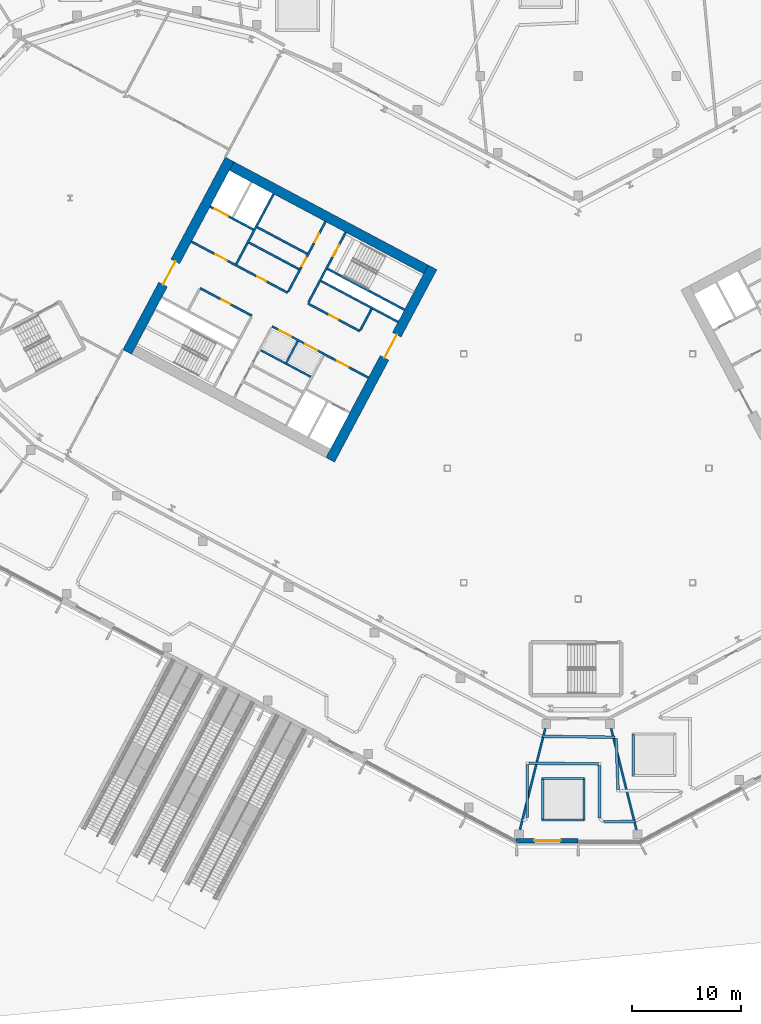
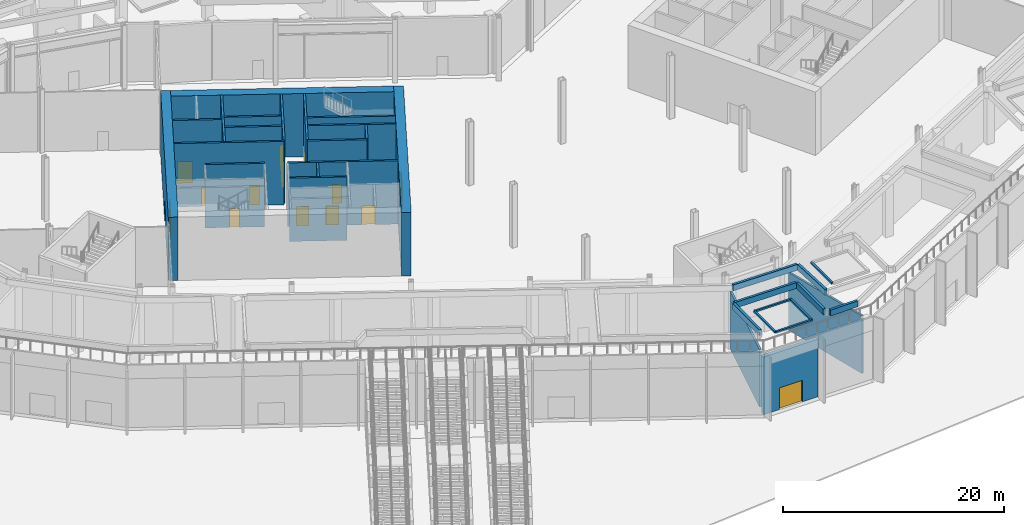
# One storey, part 17 of 57: 32 walls, 14 doors, 14 openings.
"""IFC4 building model written with IfcOpenShell, lengths in metres."""

from ifc_helpers import new_model, si_unit, direction, frame, frame_2d, origin, place, context, subcontext, project, spatial, rectangle, extrude, material, layer, layer_set, type_object, element, fill, save


model = new_model("IFC4")

# Units and contexts
model_context = context("Model", 3, precision=1e-05, world=origin(), true_north=direction((0.0, 1.0)))
body_context = subcontext(model_context, "Body", "Model", "MODEL_VIEW")
ifc_project = project(units=[si_unit("LENGTHUNIT", "METRE"), si_unit("AREAUNIT", "SQUARE_METRE"), si_unit("VOLUMEUNIT", "CUBIC_METRE"), si_unit("PLANEANGLEUNIT", "RADIAN"), si_unit("MASSUNIT", "GRAM", prefix="KILO")], contexts=[model_context])

# Site, building, storey
site_placement = place(None, origin())
site = spatial("IfcSite", under=ifc_project, at=site_placement, CompositionType="ELEMENT")
building_placement = place(site_placement, origin())
building = spatial("IfcBuilding", under=site, at=building_placement, Name="Cormorant Relay Tower", CompositionType="ELEMENT")
storey_placement = place(building_placement, origin())
storey = spatial("IfcBuildingStorey", under=building, at=storey_placement, Name="L00", CompositionType="ELEMENT", Elevation=0.0)

# Wall, opening, door
ifc_material_1 = material(Name="Concrete 40 MPa with granite cladding", Category="masonry")
ifc_layer_1 = layer(ifc_material_1, 0.39990234375)
ifc_layer_set_1 = layer_set([ifc_layer_1], Name="Base facade wall 400")
wall_type_1 = type_object("IfcWallType", Name="Base facade wall 400", PredefinedType="SOLIDWALL", material=ifc_layer_set_1)
wall_1_placement = place(storey_placement, frame((-5.7109375, -34.175537109375, 0.0), z_axis=(0.0, 0.0, 1.0), x_axis=(1.0, 0.0, 0.0)))
wall_1 = element("IfcWall", 1, at=wall_1_placement, inside=storey, type_object=wall_type_1, Name="Base facade wall", PredefinedType="SOLIDWALL", context=body_context, shape_type="SweptSolid", body=[
    extrude(rectangle(XDim=5.7109375, YDim=0.39990234375, at=frame_2d((2.85546875, 0.0))), origin(), (0.0, 0.0, 1.0), 6.3701171875),
])
opening_1_placement = place(wall_1_placement, frame((1.6904296875, 0.0, 0.0)))
opening_1 = element("IfcOpeningElement", 2, at=opening_1_placement, cuts=wall_1, Name="Opening PD6-010", PredefinedType="OPENING", context=body_context, shape_type="SweptSolid", body=[
    extrude(rectangle(XDim=2.39990234375, YDim=2.39990234375, at=frame_2d((1.199951171875, 1.199951171875))), frame((0.0, 0.2099609375, 0.0), z_axis=(0.0, -1.0, 0.0), x_axis=(1.0, 0.0, 0.0)), (0.0, 0.0, 1.0), 0.419921875),
])
ifc_material_2 = material(Name="Bronze framed glass door", Category="glass")
door_type_1 = type_object("IfcDoorType", Name="Door entrance double 2400", OperationType="DOUBLE_DOOR_SINGLE_SWING", PredefinedType="DOOR", material=ifc_material_2)
door_1_placement = place(opening_1_placement, frame((2.39990234375, 0.0, 0.0), z_axis=(0.0, 0.0, 1.0), x_axis=(-1.0, 0.0, 0.0)))
door_1 = element("IfcDoor", 3, at=door_1_placement, inside=storey, type_object=door_type_1, Name="Entrance door", OperationType="DOUBLE_DOOR_SINGLE_SWING", OverallHeight=2.39990234375, OverallWidth=2.39990234375, PredefinedType="DOOR", context=body_context, shape_type="SweptSolid", body=[
    extrude(rectangle(XDim=2.39990234375, YDim=2.39990234375, at=frame_2d((1.199951171875, 1.199951171875))), frame((0.0, 0.02490234375, 0.0), z_axis=(0.0, -1.0, 0.0), x_axis=(1.0, 0.0, 0.0)), (0.0, 0.0, 1.0), 0.050048828125),
])
fill(opening_1, door_1)

# Walls
ifc_material_3 = material(Name="Concrete 40 MPa", Category="concrete")
ifc_layer_2 = layer(ifc_material_3, 0.199951171875)
ifc_layer_set_2 = layer_set([ifc_layer_2], Name="Core internal wall 200")
wall_type_2 = type_object("IfcWallType", Name="Core internal wall 200", PredefinedType="SOLIDWALL", material=ifc_layer_set_2)
wall_2_placement = place(storey_placement, frame((-25.744140625, 11.64990234375, 0.0), z_axis=(0.0, 0.0, 1.0), x_axis=(-0.469487830541, -0.882938942948, 0.0)))
element("IfcWall", 4, at=wall_2_placement, inside=storey, type_object=wall_type_2, Name="L00 core A shaft and room wall", PredefinedType="SOLIDWALL", context=body_context, shape_type="SweptSolid", body=[
    extrude(rectangle(XDim=2.2001953125, YDim=0.199951171875, at=frame_2d((1.10009765625, 0.0))), origin(), (0.0, 0.0, 1.0), 7.0),
])
wall_3_placement = place(storey_placement, frame((-24.8720703125, 19.680419921875, 0.0), z_axis=(0.0, 0.0, 1.0), x_axis=(-0.882953967957, 0.469459572775, 0.0)))
element("IfcWall", 5, at=wall_3_placement, inside=storey, type_object=wall_type_2, Name="L00 core A shaft and room wall", PredefinedType="SOLIDWALL", context=body_context, shape_type="SweptSolid", body=[
    extrude(rectangle(XDim=5.199951171875, YDim=0.199951171875, at=frame_2d((2.60009765625, 0.0))), origin(), (0.0, 0.0, 1.0), 7.0),
])
ifc_material_4 = material(Name="Concrete 50 MPa", Category="concrete")
ifc_layer_3 = layer(ifc_material_4, 0.199951171875)
ifc_layer_set_3 = layer_set([ifc_layer_3], Name="Core shaft wall 200")
wall_type_3 = type_object("IfcWallType", Name="Core shaft wall 200", PredefinedType="SHEAR", material=ifc_layer_set_3)
wall_4_placement = place(storey_placement, frame((-18.959716796875, 14.611328125, 0.0), z_axis=(0.0, 0.0, 1.0), x_axis=(-0.4694473164, -0.882960484464, 0.0)))
element("IfcWall", 6, at=wall_4_placement, inside=storey, type_object=wall_type_3, Name="L00 core A shaft wall", PredefinedType="SHEAR", context=body_context, shape_type="SweptSolid", body=[
    extrude(rectangle(XDim=2.199951171875, YDim=0.199951171875, at=frame_2d((1.10009765625, 0.0))), origin(), (0.0, 0.0, 1.0), 7.0),
])

# Wall, opening, door
wall_5_placement = place(storey_placement, frame((-21.333251953125, 21.6494140625, 0.0), z_axis=(0.0, 0.0, 1.0), x_axis=(-0.469494272526, -0.882935517501, 0.0)))
wall_5 = element("IfcWall", 7, at=wall_5_placement, inside=storey, type_object=wall_type_3, Name="L00 core A shaft wall", PredefinedType="SHEAR", context=body_context, shape_type="SweptSolid", body=[
    extrude(rectangle(XDim=7.2998046875, YDim=0.199951171875, at=frame_2d((3.64990234375, 0.0))), origin(), (0.0, 0.0, 1.0), 7.0),
])
opening_2_placement = place(wall_5_placement, frame((1.300048828125, 0.0, 0.0)))
opening_2 = element("IfcOpeningElement", 8, at=opening_2_placement, cuts=wall_5, Name="Opening CDB-007", PredefinedType="OPENING", context=body_context, shape_type="SweptSolid", body=[
    extrude(rectangle(XDim=1.199951171875, YDim=2.10009765625, at=frame_2d((0.60009765625, 1.050048828125))), frame((0.0, 0.10986328125, 0.0), z_axis=(0.0, -1.0, 0.0), x_axis=(1.0, 0.0, 0.0)), (0.0, 0.0, 1.0), 0.219970703125),
])
ifc_material_5 = material(Name="Steel fire door", Category="steel")
door_type_2 = type_object("IfcDoorType", Name="Core stair door 1200x2100", OperationType="SINGLE_SWING_LEFT", PredefinedType="DOOR", material=ifc_material_5)
door_2_placement = place(opening_2_placement, origin())
door_2 = element("IfcDoor", 9, at=door_2_placement, inside=storey, type_object=door_type_2, Name="Core stair door 1200x2100", OperationType="SINGLE_SWING_RIGHT", OverallHeight=2.10009765625, OverallWidth=1.199951171875, PredefinedType="DOOR", context=body_context, shape_type="SweptSolid", body=[
    extrude(rectangle(XDim=1.199951171875, YDim=2.10009765625, at=frame_2d((0.60009765625, 1.050048828125))), frame((0.0, 0.02490234375, 0.0), z_axis=(0.0, -1.0, 0.0), x_axis=(1.0, 0.0, 0.0)), (0.0, 0.0, 1.0), 0.050048828125),
])
fill(opening_2, door_2)

# Wall, openings, doors
wall_6_placement = place(storey_placement, frame((-23.1875, 22.635498046875, 0.0), z_axis=(0.0, 0.0, 1.0), x_axis=(-0.469454336211, -0.882956752176, 0.0)))
wall_6 = element("IfcWall", 10, at=wall_6_placement, inside=storey, type_object=wall_type_3, Name="L00 core A shaft wall", PredefinedType="SHEAR", context=body_context, shape_type="SweptSolid", body=[
    extrude(rectangle(XDim=7.300048828125, YDim=0.199951171875, at=frame_2d((3.64990234375, 0.0))), origin(), (0.0, 0.0, 1.0), 7.0),
])
opening_3_placement = place(wall_6_placement, frame((1.25, 0.0, 0.0)))
opening_3 = element("IfcOpeningElement", 11, at=opening_3_placement, cuts=wall_6, Name="Opening CDD-041", PredefinedType="OPENING", context=body_context, shape_type="SweptSolid", body=[
    extrude(rectangle(XDim=0.89990234375, YDim=2.10009765625, at=frame_2d((0.449951171875, 1.050048828125))), frame((0.0, 0.10986328125, 0.0), z_axis=(0.0, -1.0, 0.0), x_axis=(1.0, 0.0, 0.0)), (0.0, 0.0, 1.0), 0.219970703125),
])
opening_4_placement = place(wall_6_placement, frame((3.75, 0.0, 0.0)))
opening_4 = element("IfcOpeningElement", 12, at=opening_4_placement, cuts=wall_6, Name="Opening CDD-042", PredefinedType="OPENING", context=body_context, shape_type="SweptSolid", body=[
    extrude(rectangle(XDim=0.89990234375, YDim=2.10009765625, at=frame_2d((0.449951171875, 1.050048828125))), frame((0.0, 0.10986328125, 0.0), z_axis=(0.0, -1.0, 0.0), x_axis=(1.0, 0.0, 0.0)), (0.0, 0.0, 1.0), 0.219970703125),
])
ifc_material_6 = material(Name="Steel fire door", Category="steel")
door_type_3 = type_object("IfcDoorType", Name="Core room door 900x2100", OperationType="SINGLE_SWING_LEFT", PredefinedType="DOOR", material=ifc_material_6)
door_3_placement = place(opening_3_placement, frame((0.89990234375, 0.0, 0.0), z_axis=(0.0, 0.0, 1.0), x_axis=(-1.0, 0.0, 0.0)))
door_3 = element("IfcDoor", 13, at=door_3_placement, inside=storey, type_object=door_type_3, Name="Core room door 900x2100", OperationType="SINGLE_SWING_LEFT", OverallHeight=2.10009765625, OverallWidth=0.89990234375, PredefinedType="DOOR", context=body_context, shape_type="SweptSolid", body=[
    extrude(rectangle(XDim=0.89990234375, YDim=2.10009765625, at=frame_2d((0.449951171875, 1.050048828125))), frame((0.0, 0.02490234375, 0.0), z_axis=(0.0, -1.0, 0.0), x_axis=(1.0, 0.0, 0.0)), (0.0, 0.0, 1.0), 0.050048828125),
])
fill(opening_3, door_3)
door_4_placement = place(opening_4_placement, frame((0.89990234375, 0.0, 0.0), z_axis=(0.0, 0.0, 1.0), x_axis=(-1.0, 0.0, 0.0)))
door_4 = element("IfcDoor", 14, at=door_4_placement, inside=storey, type_object=door_type_3, Name="Core room door 900x2100", OperationType="SINGLE_SWING_RIGHT", OverallHeight=2.10009765625, OverallWidth=0.89990234375, PredefinedType="DOOR", context=body_context, shape_type="SweptSolid", body=[
    extrude(rectangle(XDim=0.89990234375, YDim=2.10009765625, at=frame_2d((0.449951171875, 1.050048828125))), frame((0.0, 0.02490234375, 0.0), z_axis=(0.0, -1.0, 0.0), x_axis=(1.0, 0.0, 0.0)), (0.0, 0.0, 1.0), 0.050048828125),
])
fill(opening_4, door_4)

# Walls
wall_7_placement = place(storey_placement, frame((-27.955322265625, 25.170654296875, 0.0), z_axis=(0.0, 0.0, 1.0), x_axis=(-0.469480409012, -0.88294288918, 0.0)))
element("IfcWall", 15, at=wall_7_placement, inside=storey, type_object=wall_type_3, Name="L00 core A shaft wall", PredefinedType="SHEAR", context=body_context, shape_type="SweptSolid", body=[
    extrude(rectangle(XDim=7.300048828125, YDim=0.199951171875, at=frame_2d((3.64990234375, 0.0))), origin(), (0.0, 0.0, 1.0), 7.0),
])
wall_8_placement = place(storey_placement, frame((-15.94189453125, 14.53564453125, 0.0), z_axis=(0.0, 0.0, 1.0), x_axis=(-0.882946947542, 0.469472776449, 0.0)))
element("IfcWall", 16, at=wall_8_placement, inside=storey, type_object=wall_type_3, Name="L00 core A shaft wall", PredefinedType="SHEAR", context=body_context, shape_type="SweptSolid", body=[
    extrude(rectangle(XDim=8.000244140625, YDim=0.199951171875, at=frame_2d((4.0, 0.0))), origin(), (0.0, 0.0, 1.0), 7.0),
])

# Wall, opening, door
wall_9_placement = place(storey_placement, frame((-29.80419921875, 21.906494140625, 0.0), z_axis=(0.0, 0.0, 1.0), x_axis=(-0.882960433586, 0.469447412093, 0.0)))
wall_9 = element("IfcWall", 17, at=wall_9_placement, inside=storey, type_object=wall_type_3, Name="L00 core A shaft wall", PredefinedType="SHEAR", context=body_context, shape_type="SweptSolid", body=[
    extrude(rectangle(XDim=4.5, YDim=0.199951171875, at=frame_2d((2.25, 0.0))), origin(), (0.0, 0.0, 1.0), 7.0),
])
opening_5_placement = place(wall_9_placement, frame((2.64990234375, 0.0, 0.0)))
opening_5 = element("IfcOpeningElement", 18, at=opening_5_placement, cuts=wall_9, Name="Opening LD3-003", PredefinedType="OPENING", context=body_context, shape_type="SweptSolid", body=[
    extrude(rectangle(XDim=1.39990234375, YDim=2.39990234375, at=frame_2d((0.699951171875, 1.199951171875))), frame((0.0, 0.10986328125, 0.0), z_axis=(0.0, -1.0, 0.0), x_axis=(1.0, 0.0, 0.0)), (0.0, 0.0, 1.0), 0.219970703125),
])
ifc_material_7 = material(Name="Stainless steel 316", Category="steel")
door_type_4 = type_object("IfcDoorType", Name="Lift landing door 1400x2400", OperationType="DOUBLE_DOOR_SLIDING", PredefinedType="DOOR", material=ifc_material_7)
door_5_placement = place(opening_5_placement, origin())
door_5 = element("IfcDoor", 19, at=door_5_placement, inside=storey, type_object=door_type_4, Name="SV1 landing door", OperationType="DOUBLE_DOOR_SLIDING", OverallHeight=2.39990234375, OverallWidth=1.39990234375, PredefinedType="DOOR", context=body_context, shape_type="SweptSolid", body=[
    extrude(rectangle(XDim=1.39990234375, YDim=2.39990234375, at=frame_2d((0.699951171875, 1.199951171875))), frame((0.0, 0.02490234375, 0.0), z_axis=(0.0, -1.0, 0.0), x_axis=(1.0, 0.0, 0.0)), (0.0, 0.0, 1.0), 0.050048828125),
])
fill(opening_5, door_5)

# Walls
wall_10_placement = place(storey_placement, frame((-16.52880859375, 13.43212890625, 0.0), z_axis=(0.0, 0.0, 1.0), x_axis=(-0.88295287151, 0.469461634952, 0.0)))
element("IfcWall", 20, at=wall_10_placement, inside=storey, type_object=wall_type_3, Name="L00 core A shaft wall", PredefinedType="SHEAR", context=body_context, shape_type="SweptSolid", body=[
    extrude(rectangle(XDim=7.999755859375, YDim=0.199951171875, at=frame_2d((4.0, 0.0))), origin(), (0.0, 0.0, 1.0), 7.0),
])
wall_11_placement = place(storey_placement, frame((-25.623046875, 18.267578125, 0.0), z_axis=(0.0, 0.0, 1.0), x_axis=(-0.882953967957, 0.469459572775, 0.0)))
element("IfcWall", 21, at=wall_11_placement, inside=storey, type_object=wall_type_3, Name="L00 core A shaft wall", PredefinedType="SHEAR", context=body_context, shape_type="SweptSolid", body=[
    extrude(rectangle(XDim=5.199951171875, YDim=0.199951171875, at=frame_2d((2.60009765625, 0.0))), origin(), (0.0, 0.0, 1.0), 7.0),
])

# Wall, opening, door
wall_12_placement = place(storey_placement, frame((-20.03955078125, 12.58056640625, 0.0), z_axis=(0.0, 0.0, 1.0), x_axis=(-0.882942972946, 0.469480251476, 0.0)))
wall_12 = element("IfcWall", 22, at=wall_12_placement, inside=storey, type_object=wall_type_3, Name="L00 core A shaft wall", PredefinedType="SHEAR", context=body_context, shape_type="SweptSolid", body=[
    extrude(rectangle(XDim=5.39990234375, YDim=0.199951171875, at=frame_2d((2.699951171875, 0.0))), origin(), (0.0, 0.0, 1.0), 7.0),
])
opening_6_placement = place(wall_12_placement, frame((2.25, 0.0, 0.0)))
opening_6 = element("IfcOpeningElement", 23, at=opening_6_placement, cuts=wall_12, Name="Opening CDD-036", PredefinedType="OPENING", context=body_context, shape_type="SweptSolid", body=[
    extrude(rectangle(XDim=0.89990234375, YDim=2.10009765625, at=frame_2d((0.449951171875, 1.050048828125))), frame((0.0, 0.10986328125, 0.0), z_axis=(0.0, -1.0, 0.0), x_axis=(1.0, 0.0, 0.0)), (0.0, 0.0, 1.0), 0.219970703125),
])
door_6_placement = place(opening_6_placement, frame((0.89990234375, 0.0, 0.0), z_axis=(0.0, 0.0, 1.0), x_axis=(-1.0, 0.0, 0.0)))
door_6 = element("IfcDoor", 24, at=door_6_placement, inside=storey, type_object=door_type_3, Name="Core room door 900x2100", OperationType="SINGLE_SWING_RIGHT", OverallHeight=2.10009765625, OverallWidth=0.89990234375, PredefinedType="DOOR", context=body_context, shape_type="SweptSolid", body=[
    extrude(rectangle(XDim=0.89990234375, YDim=2.10009765625, at=frame_2d((0.449951171875, 1.050048828125))), frame((0.0, 0.02490234375, 0.0), z_axis=(0.0, -1.0, 0.0), x_axis=(1.0, 0.0, 0.0)), (0.0, 0.0, 1.0), 0.050048828125),
])
fill(opening_6, door_6)

# Wall, openings, doors
wall_13_placement = place(storey_placement, frame((-26.66162109375, 16.1015625, 0.0), z_axis=(0.0, 0.0, 1.0), x_axis=(-0.882940221191, 0.469485426614, 0.0)))
wall_13 = element("IfcWall", 25, at=wall_13_placement, inside=storey, type_object=wall_type_3, Name="L00 core A shaft wall", PredefinedType="SHEAR", context=body_context, shape_type="SweptSolid", body=[
    extrude(rectangle(XDim=10.0, YDim=0.199951171875, at=frame_2d((5.0, 0.0))), origin(), (0.0, 0.0, 1.0), 7.0),
])
opening_7_placement = place(wall_13_placement, frame((6.300048828125, 0.0, 0.0)))
opening_7 = element("IfcOpeningElement", 26, at=opening_7_placement, cuts=wall_13, Name="Opening CDC-006", PredefinedType="OPENING", context=body_context, shape_type="SweptSolid", body=[
    extrude(rectangle(XDim=1.199951171875, YDim=2.10009765625, at=frame_2d((0.60009765625, 1.050048828125))), frame((0.0, 0.10986328125, 0.0), z_axis=(0.0, -1.0, 0.0), x_axis=(1.0, 0.0, 0.0)), (0.0, 0.0, 1.0), 0.219970703125),
])
opening_8_placement = place(wall_13_placement, frame((2.25, 0.0, 0.0)))
opening_8 = element("IfcOpeningElement", 27, at=opening_8_placement, cuts=wall_13, Name="Opening CDD-037", PredefinedType="OPENING", context=body_context, shape_type="SweptSolid", body=[
    extrude(rectangle(XDim=0.89990234375, YDim=2.10009765625, at=frame_2d((0.449951171875, 1.050048828125))), frame((0.0, 0.10986328125, 0.0), z_axis=(0.0, -1.0, 0.0), x_axis=(1.0, 0.0, 0.0)), (0.0, 0.0, 1.0), 0.219970703125),
])
ifc_material_8 = material(Name="Steel fire door", Category="steel")
door_type_5 = type_object("IfcDoorType", Name="Core lobby door 1200x2100", OperationType="SINGLE_SWING_LEFT", PredefinedType="DOOR", material=ifc_material_8)
door_7_placement = place(opening_7_placement, frame((1.199951171875, 0.0, 0.0), z_axis=(0.0, 0.0, 1.0), x_axis=(-1.0, 0.0, 0.0)))
door_7 = element("IfcDoor", 28, at=door_7_placement, inside=storey, type_object=door_type_5, Name="Core lobby door 1200x2100", OperationType="SINGLE_SWING_RIGHT", OverallHeight=2.10009765625, OverallWidth=1.199951171875, PredefinedType="DOOR", context=body_context, shape_type="SweptSolid", body=[
    extrude(rectangle(XDim=1.199951171875, YDim=2.10009765625, at=frame_2d((0.60009765625, 1.050048828125))), frame((0.0, 0.02490234375, 0.0), z_axis=(0.0, -1.0, 0.0), x_axis=(1.0, 0.0, 0.0)), (0.0, 0.0, 1.0), 0.050048828125),
])
fill(opening_7, door_7)
door_8_placement = place(opening_8_placement, frame((0.89990234375, 0.0, 0.0), z_axis=(0.0, 0.0, 1.0), x_axis=(-1.0, 0.0, 0.0)))
door_8 = element("IfcDoor", 29, at=door_8_placement, inside=storey, type_object=door_type_3, Name="Core room door 900x2100", OperationType="SINGLE_SWING_RIGHT", OverallHeight=2.10009765625, OverallWidth=0.89990234375, PredefinedType="DOOR", context=body_context, shape_type="SweptSolid", body=[
    extrude(rectangle(XDim=0.89990234375, YDim=2.10009765625, at=frame_2d((0.449951171875, 1.050048828125))), frame((0.0, 0.02490234375, 0.0), z_axis=(0.0, -1.0, 0.0), x_axis=(1.0, 0.0, 0.0)), (0.0, 0.0, 1.0), 0.050048828125),
])
fill(opening_8, door_8)

wall_14_placement = place(storey_placement, frame((-19.251708984375, 8.31103515625, 0.0), z_axis=(0.0, 0.0, 1.0), x_axis=(-0.882955722218, 0.469456273365, 0.0)))
wall_14 = element("IfcWall", 30, at=wall_14_placement, inside=storey, type_object=wall_type_3, Name="L00 core A shaft wall", PredefinedType="SHEAR", context=body_context, shape_type="SweptSolid", body=[
    extrude(rectangle(XDim=10.0, YDim=0.199951171875, at=frame_2d((5.0, 0.0))), origin(), (0.0, 0.0, 1.0), 7.0),
])
opening_9_placement = place(wall_14_placement, frame((2.10009765625, 0.0, 0.0)))
opening_9 = element("IfcOpeningElement", 31, at=opening_9_placement, cuts=wall_14, Name="Opening CDC-005", PredefinedType="OPENING", context=body_context, shape_type="SweptSolid", body=[
    extrude(rectangle(XDim=1.199951171875, YDim=2.10009765625, at=frame_2d((0.60009765625, 1.050048828125))), frame((0.0, 0.10986328125, 0.0), z_axis=(0.0, -1.0, 0.0), x_axis=(1.0, 0.0, 0.0)), (0.0, 0.0, 1.0), 0.219970703125),
])
opening_10_placement = place(wall_14_placement, frame((5.35009765625, 0.0, 0.0)))
opening_10 = element("IfcOpeningElement", 32, at=opening_10_placement, cuts=wall_14, Name="Opening LD2-001", PredefinedType="OPENING", context=body_context, shape_type="SweptSolid", body=[
    extrude(rectangle(XDim=1.199951171875, YDim=2.10009765625, at=frame_2d((0.60009765625, 1.050048828125))), frame((0.0, 0.10986328125, 0.0), z_axis=(0.0, -1.0, 0.0), x_axis=(1.0, 0.0, 0.0)), (0.0, 0.0, 1.0), 0.219970703125),
])
opening_11_placement = place(wall_14_placement, frame((8.050048828125, 0.0, 0.0)))
opening_11 = element("IfcOpeningElement", 33, at=opening_11_placement, cuts=wall_14, Name="Opening LD2-002", PredefinedType="OPENING", context=body_context, shape_type="SweptSolid", body=[
    extrude(rectangle(XDim=1.199951171875, YDim=2.10009765625, at=frame_2d((0.60009765625, 1.050048828125))), frame((0.0, 0.10986328125, 0.0), z_axis=(0.0, -1.0, 0.0), x_axis=(1.0, 0.0, 0.0)), (0.0, 0.0, 1.0), 0.219970703125),
])
door_9_placement = place(opening_9_placement, origin())
door_9 = element("IfcDoor", 34, at=door_9_placement, inside=storey, type_object=door_type_5, Name="Core lobby door 1200x2100", OperationType="SINGLE_SWING_RIGHT", OverallHeight=2.10009765625, OverallWidth=1.199951171875, PredefinedType="DOOR", context=body_context, shape_type="SweptSolid", body=[
    extrude(rectangle(XDim=1.199951171875, YDim=2.10009765625, at=frame_2d((0.60009765625, 1.050048828125))), frame((0.0, 0.02490234375, 0.0), z_axis=(0.0, -1.0, 0.0), x_axis=(1.0, 0.0, 0.0)), (0.0, 0.0, 1.0), 0.050048828125),
])
fill(opening_9, door_9)
ifc_material_9 = material(Name="Stainless steel 316", Category="steel")
door_type_6 = type_object("IfcDoorType", Name="Lift landing door 1200x2100", OperationType="DOUBLE_DOOR_SLIDING", PredefinedType="DOOR", material=ifc_material_9)
door_10_placement = place(opening_10_placement, origin())
door_10 = element("IfcDoor", 35, at=door_10_placement, inside=storey, type_object=door_type_6, Name="SH1 landing door", OperationType="DOUBLE_DOOR_SLIDING", OverallHeight=2.10009765625, OverallWidth=1.199951171875, PredefinedType="DOOR", context=body_context, shape_type="SweptSolid", body=[
    extrude(rectangle(XDim=1.199951171875, YDim=2.10009765625, at=frame_2d((0.60009765625, 1.050048828125))), frame((0.0, 0.02490234375, 0.0), z_axis=(0.0, -1.0, 0.0), x_axis=(1.0, 0.0, 0.0)), (0.0, 0.0, 1.0), 0.050048828125),
])
fill(opening_10, door_10)
door_11_placement = place(opening_11_placement, origin())
door_11 = element("IfcDoor", 36, at=door_11_placement, inside=storey, type_object=door_type_6, Name="SH2 landing door", OperationType="DOUBLE_DOOR_SLIDING", OverallHeight=2.10009765625, OverallWidth=1.199951171875, PredefinedType="DOOR", context=body_context, shape_type="SweptSolid", body=[
    extrude(rectangle(XDim=1.199951171875, YDim=2.10009765625, at=frame_2d((0.60009765625, 1.050048828125))), frame((0.0, 0.02490234375, 0.0), z_axis=(0.0, -1.0, 0.0), x_axis=(1.0, 0.0, 0.0)), (0.0, 0.0, 1.0), 0.050048828125),
])
fill(opening_11, door_11)

# Wall, opening, door
wall_15_placement = place(storey_placement, frame((-29.935302734375, 13.991455078125, 0.0), z_axis=(0.0, 0.0, 1.0), x_axis=(-0.882952937579, 0.469461510692, 0.0)))
wall_15 = element("IfcWall", 37, at=wall_15_placement, inside=storey, type_object=wall_type_3, Name="L00 core A shaft wall", PredefinedType="SHEAR", context=body_context, shape_type="SweptSolid", body=[
    extrude(rectangle(XDim=5.400146484375, YDim=0.199951171875, at=frame_2d((2.7001953125, 0.0))), origin(), (0.0, 0.0, 1.0), 7.0),
])
opening_12_placement = place(wall_15_placement, frame((2.25, 0.0, 0.0)))
opening_12 = element("IfcOpeningElement", 38, at=opening_12_placement, cuts=wall_15, Name="Opening CDD-035", PredefinedType="OPENING", context=body_context, shape_type="SweptSolid", body=[
    extrude(rectangle(XDim=0.89990234375, YDim=2.10009765625, at=frame_2d((0.449951171875, 1.050048828125))), frame((0.0, 0.10986328125, 0.0), z_axis=(0.0, -1.0, 0.0), x_axis=(1.0, 0.0, 0.0)), (0.0, 0.0, 1.0), 0.219970703125),
])
door_12_placement = place(opening_12_placement, origin())
door_12 = element("IfcDoor", 39, at=door_12_placement, inside=storey, type_object=door_type_3, Name="Core room door 900x2100", OperationType="SINGLE_SWING_LEFT", OverallHeight=2.10009765625, OverallWidth=0.89990234375, PredefinedType="DOOR", context=body_context, shape_type="SweptSolid", body=[
    extrude(rectangle(XDim=0.89990234375, YDim=2.10009765625, at=frame_2d((0.449951171875, 1.050048828125))), frame((0.0, 0.02490234375, 0.0), z_axis=(0.0, -1.0, 0.0), x_axis=(1.0, 0.0, 0.0)), (0.0, 0.0, 1.0), 0.050048828125),
])
fill(opening_12, door_12)

# Wall
wall_16_placement = place(storey_placement, frame((-24.5283203125, 8.3984375, 0.0), z_axis=(0.0, 0.0, 1.0), x_axis=(-0.882953967957, 0.469459572775, 0.0)))
element("IfcWall", 40, at=wall_16_placement, inside=storey, type_object=wall_type_3, Name="L00 core A shaft wall", PredefinedType="SHEAR", context=body_context, shape_type="SweptSolid", body=[
    extrude(rectangle(XDim=5.199951171875, YDim=0.199951171875, at=frame_2d((2.60009765625, 0.0))), origin(), (0.0, 0.0, 1.0), 7.0),
])

# Wall, opening, door
ifc_material_10 = material(Name="Concrete 70 MPa", Category="concrete")
ifc_layer_4 = layer(ifc_material_10, 0.89990234375)
ifc_layer_set_4 = layer_set([ifc_layer_4], Name="Core wall 900")
wall_type_4 = type_object("IfcWallType", Name="Core wall 900", PredefinedType="SHEAR", material=ifc_layer_set_4)
wall_17_placement = place(storey_placement, frame((-13.361572265625, 18.43017578125, 0.0), z_axis=(0.0, 0.0, 1.0), x_axis=(-0.46947084998, -0.882947971864, 0.0)))
wall_17 = element("IfcWall", 41, at=wall_17_placement, inside=storey, type_object=wall_type_4, Name="L00 core A wall", PredefinedType="SHEAR", context=body_context, shape_type="SweptSolid", body=[
    extrude(rectangle(XDim=20.0, YDim=0.89990234375, at=frame_2d((10.0, 0.0))), origin(), (0.0, 0.0, 1.0), 7.0),
])
opening_13_placement = place(wall_17_placement, frame((7.0, 0.0, 0.0)))
opening_13 = element("IfcOpeningElement", 42, at=opening_13_placement, cuts=wall_17, Name="Opening CDA-005", PredefinedType="OPENING", context=body_context, shape_type="SweptSolid", body=[
    extrude(rectangle(XDim=2.39990234375, YDim=2.39990234375, at=frame_2d((1.199951171875, 1.199951171875))), frame((0.0, 0.4599609375, 0.0), z_axis=(0.0, -1.0, 0.0), x_axis=(1.0, 0.0, 0.0)), (0.0, 0.0, 1.0), 0.919921875),
])
ifc_material_11 = material(Name="Steel fire door", Category="steel")
door_type_7 = type_object("IfcDoorType", Name="Core lobby door 2400x2400", OperationType="DOUBLE_DOOR_SINGLE_SWING", PredefinedType="DOOR", material=ifc_material_11)
door_13_placement = place(opening_13_placement, frame((2.39990234375, 0.0, 0.0), z_axis=(0.0, 0.0, 1.0), x_axis=(-1.0, 0.0, 0.0)))
door_13 = element("IfcDoor", 43, at=door_13_placement, inside=storey, type_object=door_type_7, Name="Core lobby door 2400x2400", OperationType="DOUBLE_DOOR_SINGLE_SWING", OverallHeight=2.39990234375, OverallWidth=2.39990234375, PredefinedType="DOOR", context=body_context, shape_type="SweptSolid", body=[
    extrude(rectangle(XDim=2.39990234375, YDim=2.39990234375, at=frame_2d((1.199951171875, 1.199951171875))), frame((0.0, 0.02490234375, 0.0), z_axis=(0.0, -1.0, 0.0), x_axis=(1.0, 0.0, 0.0)), (0.0, 0.0, 1.0), 0.050048828125),
])
fill(opening_13, door_13)

wall_18_placement = place(storey_placement, frame((-31.99169921875, 28.3359375, 0.0), z_axis=(0.0, 0.0, 1.0), x_axis=(-0.46947084998, -0.882947971864, 0.0)))
wall_18 = element("IfcWall", 44, at=wall_18_placement, inside=storey, type_object=wall_type_4, Name="L00 core A wall", PredefinedType="SHEAR", context=body_context, shape_type="SweptSolid", body=[
    extrude(rectangle(XDim=20.0, YDim=0.89990234375, at=frame_2d((10.0, 0.0))), origin(), (0.0, 0.0, 1.0), 7.0),
])
opening_14_placement = place(wall_18_placement, frame((10.60009765625, 0.0, 0.0)))
opening_14 = element("IfcOpeningElement", 45, at=opening_14_placement, cuts=wall_18, Name="Opening CDA-006", PredefinedType="OPENING", context=body_context, shape_type="SweptSolid", body=[
    extrude(rectangle(XDim=2.39990234375, YDim=2.39990234375, at=frame_2d((1.199951171875, 1.199951171875))), frame((0.0, 0.4599609375, 0.0), z_axis=(0.0, -1.0, 0.0), x_axis=(1.0, 0.0, 0.0)), (0.0, 0.0, 1.0), 0.919921875),
])
door_14_placement = place(opening_14_placement, origin())
door_14 = element("IfcDoor", 46, at=door_14_placement, inside=storey, type_object=door_type_7, Name="Core lobby door 2400x2400", OperationType="DOUBLE_DOOR_SINGLE_SWING", OverallHeight=2.39990234375, OverallWidth=2.39990234375, PredefinedType="DOOR", context=body_context, shape_type="SweptSolid", body=[
    extrude(rectangle(XDim=2.39990234375, YDim=2.39990234375, at=frame_2d((1.199951171875, 1.199951171875))), frame((0.0, 0.02490234375, 0.0), z_axis=(0.0, -1.0, 0.0), x_axis=(1.0, 0.0, 0.0)), (0.0, 0.0, 1.0), 0.050048828125),
])
fill(opening_14, door_14)

# Walls
wall_19_placement = place(storey_placement, frame((-13.97021484375, 18.244140625, 0.0), z_axis=(0.0, 0.0, 1.0), x_axis=(-0.88294509198, 0.469476266226, 0.0)))
element("IfcWall", 47, at=wall_19_placement, inside=storey, type_object=wall_type_4, Name="L00 core A wall", PredefinedType="SHEAR", context=body_context, shape_type="SweptSolid", body=[
    extrude(rectangle(XDim=20.199951171875, YDim=0.89990234375, at=frame_2d((10.10009765625, 0.0))), origin(), (0.0, 0.0, 1.0), 7.0),
])
ifc_material_12 = material(Name="Concrete 30 MPa upstand", Category="concrete")
ifc_layer_5 = layer(ifc_material_12, 0.199951171875)
ifc_layer_set_5 = layer_set([ifc_layer_5], Name="Deck rooflight kerb 200")
wall_type_5 = type_object("IfcWallType", Name="Deck rooflight kerb 200", PredefinedType="SOLIDWALL", material=ifc_layer_set_5)
wall_20_placement = place(storey_placement, frame((5.05810546875, -28.19189453125, 6.919921875), z_axis=(0.0, 0.0, 1.0), x_axis=(0.0, 1.0, 0.0)))
element("IfcWall", 48, at=wall_20_placement, inside=storey, type_object=wall_type_5, Name="Rooflight kerb", PredefinedType="SOLIDWALL", context=body_context, shape_type="SweptSolid", body=[
    extrude(rectangle(XDim=3.7998046875, YDim=0.199951171875, at=frame_2d((1.89990234375, 0.0))), origin(), (0.0, 0.0, 1.0), 0.18017578125),
])
wall_21_placement = place(storey_placement, frame((0.5390625, -32.27587890625, 6.919921875), z_axis=(0.0, 0.0, 1.0), x_axis=(-1.0, 0.0, 0.0)))
element("IfcWall", 49, at=wall_21_placement, inside=storey, type_object=wall_type_5, Name="Rooflight kerb", PredefinedType="SOLIDWALL", context=body_context, shape_type="SweptSolid", body=[
    extrude(rectangle(XDim=3.800048828125, YDim=0.199951171875, at=frame_2d((1.89990234375, 0.0))), origin(), (0.0, 0.0, 1.0), 0.18017578125),
])
wall_22_placement = place(storey_placement, frame((-3.260986328125, -32.27587890625, 6.919921875), z_axis=(0.0, 0.0, 1.0), x_axis=(0.0, 1.0, 0.0)))
element("IfcWall", 50, at=wall_22_placement, inside=storey, type_object=wall_type_5, Name="Rooflight kerb", PredefinedType="SOLIDWALL", context=body_context, shape_type="SweptSolid", body=[
    extrude(rectangle(XDim=3.7998046875, YDim=0.199951171875, at=frame_2d((1.89990234375, 0.0))), origin(), (0.0, 0.0, 1.0), 0.18017578125),
])
wall_23_placement = place(storey_placement, frame((-3.260986328125, -28.47607421875, 6.919921875), z_axis=(0.0, 0.0, 1.0), x_axis=(1.0, 0.0, 0.0)))
element("IfcWall", 51, at=wall_23_placement, inside=storey, type_object=wall_type_5, Name="Rooflight kerb", PredefinedType="SOLIDWALL", context=body_context, shape_type="SweptSolid", body=[
    extrude(rectangle(XDim=3.800048828125, YDim=0.199951171875, at=frame_2d((1.89990234375, 0.0))), origin(), (0.0, 0.0, 1.0), 0.18017578125),
])
wall_24_placement = place(storey_placement, frame((0.5390625, -28.47607421875, 6.919921875), z_axis=(0.0, 0.0, 1.0), x_axis=(0.0, -1.0, 0.0)))
element("IfcWall", 52, at=wall_24_placement, inside=storey, type_object=wall_type_5, Name="Rooflight kerb", PredefinedType="SOLIDWALL", context=body_context, shape_type="SweptSolid", body=[
    extrude(rectangle(XDim=3.7998046875, YDim=0.199951171875, at=frame_2d((1.89990234375, 0.0))), origin(), (0.0, 0.0, 1.0), 0.18017578125),
])
ifc_material_13 = material(Name="Concrete masonry 20 MPa", Category="masonry")
ifc_layer_6 = layer(ifc_material_13, 0.199951171875)
ifc_layer_set_6 = layer_set([ifc_layer_6], Name="Plant room wall 200")
wall_type_6 = type_object("IfcWallType", Name="Plant room wall 200", PredefinedType="PARTITIONING", material=ifc_layer_set_6)
for number, where, z_axis, x_axis, name in (
    (53, (3.02294921875, -23.8759765625, 0.0), (0.0, 0.0, 1.0), (0.241930250256, -0.970293643188, 0.0), "Partition"),
    (54, (-5.341796875, -33.176025390625, 0.0), (0.0, 0.0, 1.0), (0.241930250256, 0.970293643188, 0.0), "Partition"),
):
    element("IfcWall", number, at=place(storey_placement, frame(where, z_axis=z_axis, x_axis=x_axis)), inside=storey, type_object=wall_type_6, Name=name, PredefinedType="PARTITIONING", context=body_context, shape_type="SweptSolid", body=[
        extrude(rectangle(XDim=9.584716796875, YDim=0.199951171875, at=frame_2d((4.79248046875, 0.0))), origin(), (0.0, 0.0, 1.0), 6.3701171875),
    ])
ifc_material_14 = material(Name="Concrete 40 MPa", Category="concrete")
ifc_layer_7 = layer(ifc_material_14, 0.25)
ifc_layer_set_7 = layer_set([ifc_layer_7], Name="Planter kerb 250")
wall_type_7 = type_object("IfcWallType", Name="Planter kerb 250", PredefinedType="STANDARD", material=ifc_layer_set_7)
wall_25_placement = place(storey_placement, frame((1.840576171875, -27.130615234375, 7.0), z_axis=(0.0, 0.0, 1.0), x_axis=(-0.999960898907, 0.008843113497, 0.0)))
element("IfcWall", 55, at=wall_25_placement, inside=storey, type_object=wall_type_7, Name="PLANTER 01 kerb", PredefinedType="STANDARD", context=body_context, shape_type="SweptSolid", body=[
    extrude(rectangle(XDim=6.37744140625, YDim=0.25, at=frame_2d((3.188720703125, 0.0))), origin(), (0.0, 0.0, 1.0), 0.64990234375),
])
wall_26_placement = place(storey_placement, frame((-4.66259765625, -27.19873046875, 7.0), z_axis=(0.0, 0.0, 1.0), x_axis=(-0.004679194057, -0.999989052512, 0.0)))
element("IfcWall", 56, at=wall_26_placement, inside=storey, type_object=wall_type_7, Name="PLANTER 01 kerb", PredefinedType="STANDARD", context=body_context, shape_type="SweptSolid", body=[
    extrude(rectangle(XDim=4.852294921875, YDim=0.25, at=frame_2d((2.42626953125, 0.0))), origin(), (0.0, 0.0, 1.0), 0.64990234375),
])
wall_27_placement = place(storey_placement, frame((-3.29541015625, -24.603515625, 7.0), z_axis=(0.0, 0.0, 1.0), x_axis=(0.999929472712, -0.011876430557, 0.0)))
element("IfcWall", 57, at=wall_27_placement, inside=storey, type_object=wall_type_7, Name="PLANTER 01 kerb", PredefinedType="STANDARD", context=body_context, shape_type="SweptSolid", body=[
    extrude(rectangle(XDim=6.660400390625, YDim=0.25, at=frame_2d((3.330078125, 0.0))), origin(), (0.0, 0.0, 1.0), 0.64990234375),
])
wall_28_placement = place(storey_placement, frame((3.48779296875, -24.802978515625, 7.0), z_axis=(0.0, 0.0, 1.0), x_axis=(0.036099618573, -0.999348196345, 0.0)))
element("IfcWall", 58, at=wall_28_placement, inside=storey, type_object=wall_type_7, Name="PLANTER 01 kerb", PredefinedType="STANDARD", context=body_context, shape_type="SweptSolid", body=[
    extrude(rectangle(XDim=4.673095703125, YDim=0.25, at=frame_2d((2.33642578125, 0.0))), origin(), (0.0, 0.0, 1.0), 0.64990234375),
])
wall_29_placement = place(storey_placement, frame((5.214111328125, -32.40478515625, 7.0), z_axis=(0.0, 0.0, 1.0), x_axis=(-0.999881577191, -0.015389333799, 0.0)))
element("IfcWall", 59, at=wall_29_placement, inside=storey, type_object=wall_type_7, Name="PLANTER 01 kerb", PredefinedType="STANDARD", context=body_context, shape_type="SweptSolid", body=[
    extrude(rectangle(XDim=2.871337890625, YDim=0.25, at=frame_2d((1.435546875, 0.0))), origin(), (0.0, 0.0, 1.0), 0.64990234375),
])
wall_30_placement = place(storey_placement, frame((1.964111328125, -32.072021484375, 7.0), z_axis=(0.0, 0.0, 1.0), x_axis=(0.0, 1.0, 0.0)))
element("IfcWall", 60, at=wall_30_placement, inside=storey, type_object=wall_type_7, Name="PLANTER 01 kerb", PredefinedType="STANDARD", context=body_context, shape_type="SweptSolid", body=[
    extrude(rectangle(XDim=4.81640625, YDim=0.25, at=frame_2d((2.408203125, 0.0))), origin(), (0.0, 0.0, 1.0), 0.64990234375),
])

save(model, "model.ifc")
